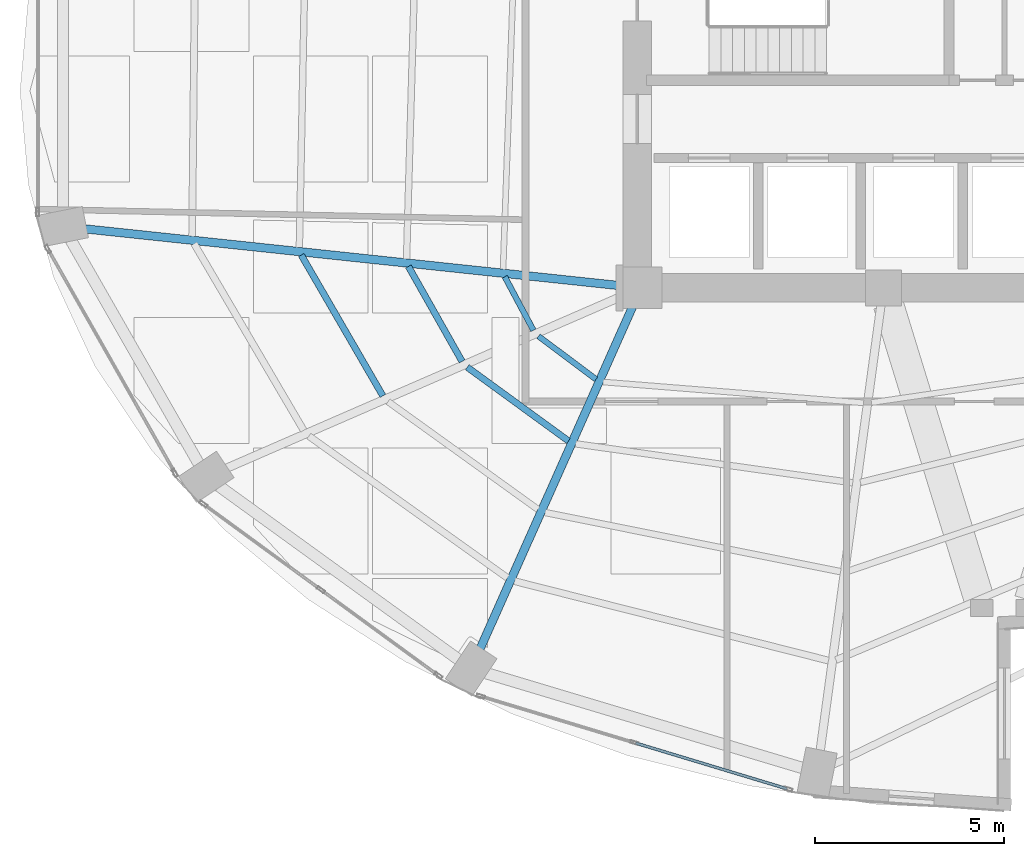
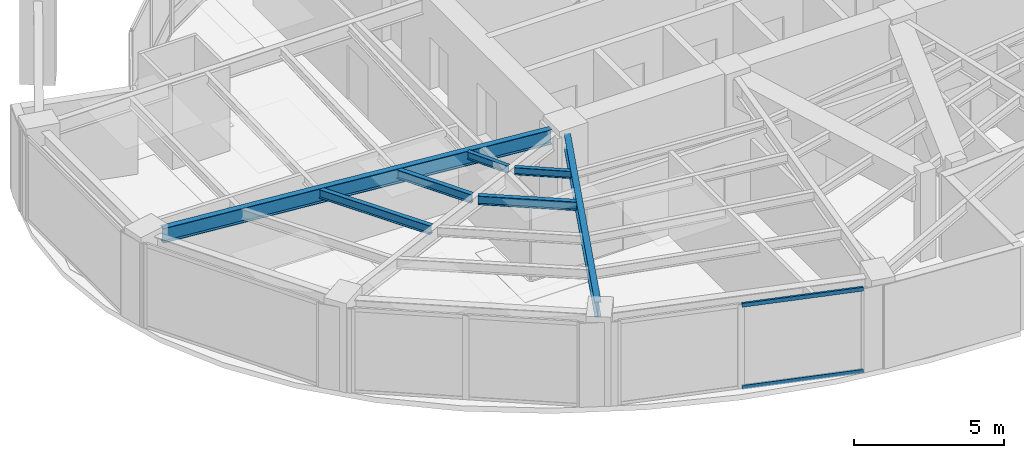
# One storey, part 4 of 24: 7 beams, 2 members, 1 element without a shape of its own.
"""IFC4 building model written with IfcOpenShell, lengths in metres."""

from ifc_helpers import new_model, si_unit, direction, frame, origin, origin_2d, place, context, subcontext, project, spatial, hollow_rectangle, i_section, extrude, material, layer, layer_set, material_profile, profile_set, type_object, element, aggregate, save


model = new_model("IFC4")

# Units and contexts
model_context = context("Model", 3, precision=1e-05, world=origin(), true_north=direction((0.0, 1.0)))
body_context = subcontext(model_context, "Body", "Model", "MODEL_VIEW")
ifc_project = project(units=[si_unit("LENGTHUNIT", "METRE"), si_unit("AREAUNIT", "SQUARE_METRE"), si_unit("VOLUMEUNIT", "CUBIC_METRE"), si_unit("PLANEANGLEUNIT", "RADIAN"), si_unit("MASSUNIT", "GRAM", prefix="KILO")], contexts=[model_context])

# Site, building, storey
site_placement = place(None, origin())
site = spatial("IfcSite", under=ifc_project, at=site_placement, CompositionType="ELEMENT")
building_placement = place(site_placement, origin())
building = spatial("IfcBuilding", under=site, at=building_placement, Name="Lazwardi Medical Tower", CompositionType="ELEMENT")
storey_placement = place(building_placement, frame((0.0, 0.0, 114.575927734375)))
storey = spatial("IfcBuildingStorey", under=building, at=storey_placement, Name="L29", CompositionType="ELEMENT", Elevation=114.575927734375)

# Beams
ifc_material_1 = material(Name="Steel S355", Category="steel")
ifc_material_profile_1 = material_profile(ifc_material_1, i_section(OverallWidth=0.219970703125, OverallDepth=0.60009765625, WebThickness=0.011962890625, FlangeThickness=0.01904296875, at=origin_2d()), Name="IPE 600")
ifc_profile_set_1 = profile_set([ifc_material_profile_1], Name="Steel S355")
beam_type_1 = type_object("IfcBeamType", Name="BM-RG-W1", PredefinedType="BEAM", material=ifc_profile_set_1)
beam_1_placement = place(storey_placement, frame((11.7138671875, 21.958984375, 3.128173828125), z_axis=(0.994413340753, -0.10555618282, 0.0), x_axis=(0.10555618282, 0.994413340753, 0.0)))
element("IfcBeam", 1, at=beam_1_placement, inside=storey, type_object=beam_type_1, Name="Radial girder RG-02 R13 L29", PredefinedType="BEAM", context=body_context, shape_type="SweptSolid", body=[
    extrude(i_section(OverallWidth=0.219970703125, OverallDepth=0.60009765625, WebThickness=0.011962890625, FlangeThickness=0.01904296875, at=origin_2d()), origin(), (0.0, 0.0, 1.0), 14.233642578125),
])
beam_2_placement = place(storey_placement, frame((22.152587890625, 10.872314453125, 3.128173828125), z_axis=(0.407165924957, 0.913354208155, 0.0), x_axis=(-0.913354208155, 0.407165924957, 0.0)))
element("IfcBeam", 2, at=beam_2_placement, inside=storey, type_object=beam_type_1, Name="Radial girder RG-02 R15 L29", PredefinedType="BEAM", context=body_context, shape_type="SweptSolid", body=[
    extrude(i_section(OverallWidth=0.219970703125, OverallDepth=0.60009765625, WebThickness=0.011962890625, FlangeThickness=0.01904296875, at=origin_2d()), origin(), (0.0, 0.0, 1.0), 9.896484375),
])
ifc_material_profile_2 = material_profile(ifc_material_1, i_section(OverallWidth=0.169921875, OverallDepth=0.360107421875, WebThickness=0.008056640625, FlangeThickness=0.0126953125, at=origin_2d()), Name="IPE 360")
ifc_profile_set_2 = profile_set([ifc_material_profile_2], Name="Steel S355")
beam_type_2 = type_object("IfcBeamType", Name="BM-SJ-02", PredefinedType="JOIST", material=ifc_profile_set_2)
beam_3_placement = place(storey_placement, frame((17.42822265625, 21.26708984375, 3.248046875), z_axis=(0.501365325212, -0.865235696602, 0.0), x_axis=(0.865235696602, 0.501365325212, 0.0)))
element("IfcBeam", 3, at=beam_3_placement, inside=storey, type_object=beam_type_2, Name="Secondary joist SJ-02 R2 B13 L29", PredefinedType="JOIST", context=body_context, shape_type="SweptSolid", body=[
    extrude(i_section(OverallWidth=0.169921875, OverallDepth=0.360107421875, WebThickness=0.008056640625, FlangeThickness=0.0126953125, at=origin_2d()), origin(), (0.0, 0.0, 1.0), 4.298828125),
])
beam_4_placement = place(storey_placement, frame((20.258056640625, 20.966064453125, 3.248046875), z_axis=(0.492026539517, -0.870580199873, 0.0), x_axis=(0.870580199873, 0.492026539517, 0.0)))
element("IfcBeam", 4, at=beam_4_placement, inside=storey, type_object=beam_type_2, Name="Secondary joist SJ-02 R3 B13 L29", PredefinedType="JOIST", context=body_context, shape_type="SweptSolid", body=[
    extrude(i_section(OverallWidth=0.169921875, OverallDepth=0.360107421875, WebThickness=0.008056640625, FlangeThickness=0.0126953125, at=origin_2d()), origin(), (0.0, 0.0, 1.0), 2.880859375),
])
beam_5_placement = place(storey_placement, frame((21.81201171875, 18.3046875, 3.248046875), z_axis=(0.808301737247, -0.588768461761, 0.0), x_axis=(0.588768461761, 0.808301737247, 0.0)))
element("IfcBeam", 5, at=beam_5_placement, inside=storey, type_object=beam_type_2, Name="Secondary joist SJ-02 R3 B14 L29", PredefinedType="JOIST", context=body_context, shape_type="SweptSolid", body=[
    extrude(i_section(OverallWidth=0.169921875, OverallDepth=0.360107421875, WebThickness=0.008056640625, FlangeThickness=0.0126953125, at=origin_2d()), origin(), (0.0, 0.0, 1.0), 3.307373046875),
])
ifc_material_profile_3 = material_profile(ifc_material_1, i_section(OverallWidth=0.14990234375, OverallDepth=0.300048828125, WebThickness=0.007080078125, FlangeThickness=0.0107421875, at=origin_2d()), Name="IPE 300")
ifc_profile_set_3 = profile_set([ifc_material_profile_3], Name="Steel S355")
beam_type_3 = type_object("IfcBeamType", Name="BM-SJ-03", PredefinedType="JOIST", material=ifc_profile_set_3)
beam_6_placement = place(storey_placement, frame((22.8037109375, 20.6943359375, 3.278076171875), z_axis=(0.471022344925, -0.882121278839, 0.0), x_axis=(0.882121278839, 0.471022344925, 0.0)))
element("IfcBeam", 6, at=beam_6_placement, inside=storey, type_object=beam_type_3, Name="Secondary joist SJ-03 R4 B13 L29", PredefinedType="JOIST", context=body_context, shape_type="SweptSolid", body=[
    extrude(i_section(OverallWidth=0.14990234375, OverallDepth=0.300048828125, WebThickness=0.007080078125, FlangeThickness=0.0107421875, at=origin_2d()), origin(), (0.0, 0.0, 1.0), 1.605224609375),
])
beam_7_placement = place(storey_placement, frame((23.693359375, 19.12255859375, 3.278076171875), z_axis=(0.800447687995, -0.599402618265, 0.0), x_axis=(0.599402618265, 0.800447687995, 0.0)))
element("IfcBeam", 7, at=beam_7_placement, inside=storey, type_object=beam_type_3, Name="Secondary joist SJ-03 R4 B14 L29", PredefinedType="JOIST", context=body_context, shape_type="SweptSolid", body=[
    extrude(i_section(OverallWidth=0.14990234375, OverallDepth=0.300048828125, WebThickness=0.007080078125, FlangeThickness=0.0107421875, at=origin_2d()), origin(), (0.0, 0.0, 1.0), 1.896728515625),
])

# Curtain wall, members
ifc_material_2 = material(Name="Anodised bronze aluminium and solar control glazing", Category="aluminium")
ifc_layer = layer(ifc_material_2, 0.195068359375)
ifc_layer_set = layer_set([ifc_layer], Name="Anodised bronze aluminium and solar control glazing")
curtain_wall_type = type_object("IfcCurtainWallType", Name="CW-SYS-03", PredefinedType="NOTDEFINED", material=ifc_layer_set)
curtain_wall_placement = place(storey_placement, origin())
curtain_wall = element("IfcCurtainWall", 8, at=curtain_wall_placement, inside=storey, type_object=curtain_wall_type, Name="L29 Unitised bronze curtain wall CW-03", PredefinedType="NOTDEFINED")
ifc_material_3 = material(Name="Anodised bronze aluminium", Category="aluminium")
ifc_material_profile_4 = material_profile(ifc_material_3, hollow_rectangle(XDim=0.074951171875, YDim=0.159912109375, WallThickness=0.00390625, at=origin_2d()), Name="ALU-TRANSOM 160x75x4")
ifc_profile_set_4 = profile_set([ifc_material_profile_4], Name="Anodised bronze aluminium")
member_type = type_object("IfcMemberType", Name="CW-TRN-01", PredefinedType="USERDEFINED", material=ifc_profile_set_4)
member_1_placement = place(storey_placement, frame((26.2666015625, 8.3759765625, 0.03759765625), z_axis=(0.957220865985, -0.289358279168, 0.0), x_axis=(0.289358279168, 0.957220865985, 0.0)))
member_1 = element("IfcMember", 9, at=member_1_placement, type_object=member_type, Name="CW-03 transom 2.1", ObjectType="TRANSOM", PredefinedType="USERDEFINED", context=body_context, shape_type="SweptSolid", body=[
    extrude(hollow_rectangle(XDim=0.074951171875, YDim=0.159912109375, WallThickness=0.00390625, at=origin_2d()), origin(), (0.0, 0.0, 1.0), 4.16552734375),
])
member_2_placement = place(storey_placement, frame((26.2666015625, 8.3759765625, 3.390625), z_axis=(0.957220865985, -0.289358279168, 0.0), x_axis=(0.289358279168, 0.957220865985, 0.0)))
member_2 = element("IfcMember", 10, at=member_2_placement, type_object=member_type, Name="CW-03 transom 2.2", ObjectType="TRANSOM", PredefinedType="USERDEFINED", context=body_context, shape_type="SweptSolid", body=[
    extrude(hollow_rectangle(XDim=0.074951171875, YDim=0.159912109375, WallThickness=0.00390625, at=origin_2d()), origin(), (0.0, 0.0, 1.0), 4.16552734375),
])
aggregate(curtain_wall, [member_1, member_2])

save(model, "model.ifc")
